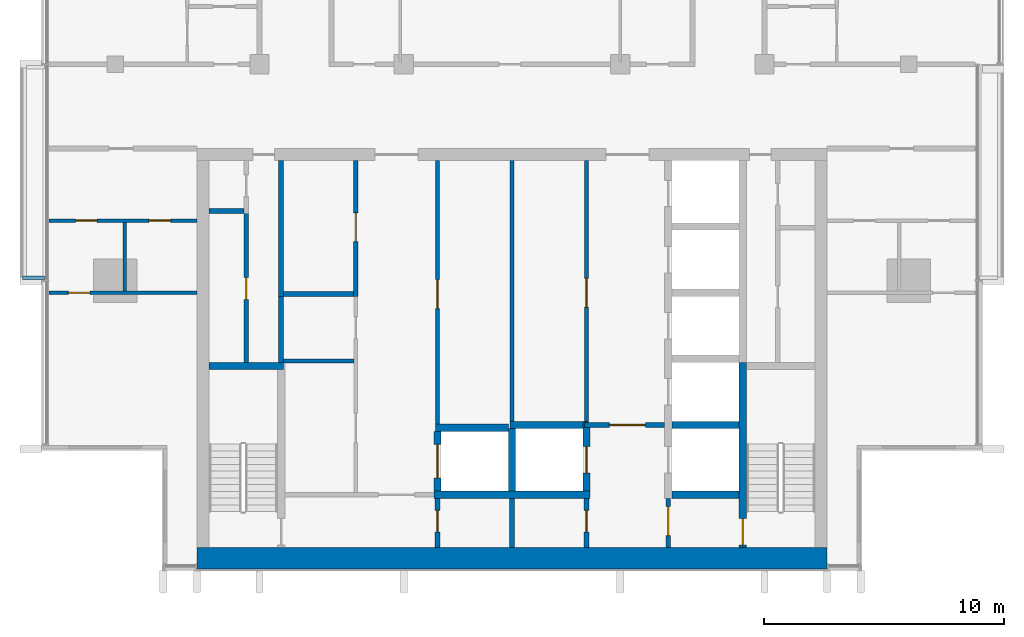
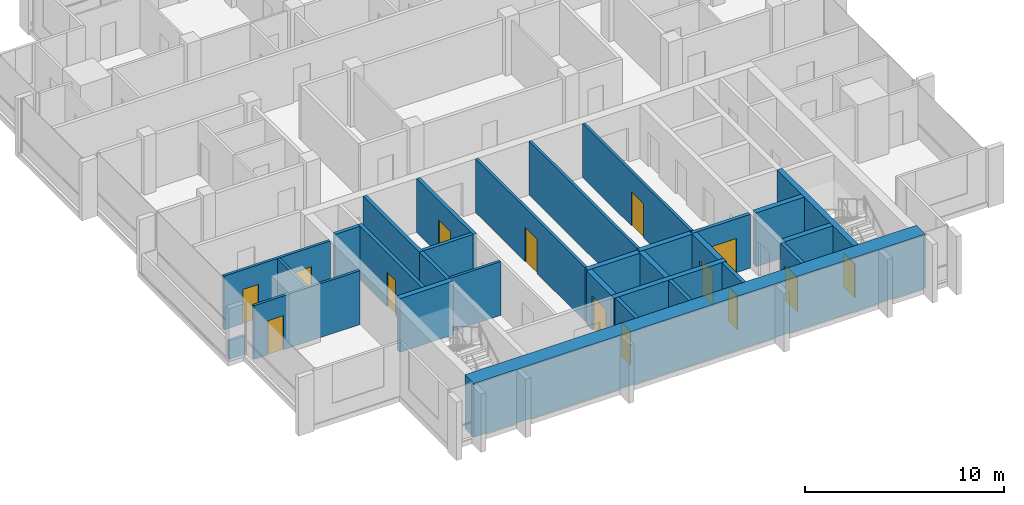
# One storey, part 7 of 16: 30 walls, 14 doors, 14 openings.
"""IFC4 building model written with IfcOpenShell, lengths in metres."""

from ifc_helpers import new_model, si_unit, direction, frame, frame_2d, origin, place, context, subcontext, project, spatial, rectangle, extrude, material, layer, layer_set, type_object, element, fill, save


model = new_model("IFC4")

# Units and contexts
model_context = context("Model", 3, precision=1e-05, world=origin(), true_north=direction((0.0, 1.0)))
body_context = subcontext(model_context, "Body", "Model", "MODEL_VIEW")
ifc_project = project(units=[si_unit("LENGTHUNIT", "METRE"), si_unit("AREAUNIT", "SQUARE_METRE"), si_unit("VOLUMEUNIT", "CUBIC_METRE"), si_unit("PLANEANGLEUNIT", "RADIAN"), si_unit("MASSUNIT", "GRAM", prefix="KILO")], contexts=[model_context])

# Site, building, storey
site_placement = place(None, origin())
site = spatial("IfcSite", under=ifc_project, at=site_placement, CompositionType="ELEMENT")
building_placement = place(site_placement, origin())
building = spatial("IfcBuilding", under=site, at=building_placement, Name="Finial Court Residences", CompositionType="ELEMENT")
storey_placement = place(building_placement, frame((0.0, 0.0, 280.699951171875)))
storey = spatial("IfcBuildingStorey", under=building, at=storey_placement, Name="L71", CompositionType="ELEMENT", Elevation=280.699951171875)

# Wall
ifc_material_1 = material(Name="Fire-rated gypsum board partition")
ifc_layer_1 = layer(ifc_material_1, 0.14990234375)
ifc_layer_set_1 = layer_set([ifc_layer_1], Name="Core room partition 150 EI 60")
wall_type_1 = type_object("IfcWallType", Name="Core room partition 150 EI 60", PredefinedType="PARTITIONING", material=ifc_layer_set_1)
wall_1_placement = place(storey_placement, frame((-9.5, -16.840087890625, 0.0), z_axis=(0.0, 0.0, 1.0), x_axis=(1.0, 0.0, 0.0)))
element("IfcWall", 1, at=wall_1_placement, inside=storey, type_object=wall_type_1, Name="Core partition L71-10", PredefinedType="PARTITIONING", context=body_context, shape_type="SweptSolid", body=[
    extrude(rectangle(XDim=2.925048828125, YDim=0.14990234375, at=frame_2d((1.46240234375, 0.0))), origin(), (0.0, 0.0, 1.0), 3.300048828125),
])

# Wall, opening, door
wall_2_placement = place(storey_placement, frame((-3.10009765625, -8.5, 0.0), z_axis=(0.0, 0.0, 1.0), x_axis=(0.0, -1.0, 0.0)))
wall_2 = element("IfcWall", 2, at=wall_2_placement, inside=storey, type_object=wall_type_1, Name="Core partition L71-26", PredefinedType="PARTITIONING", context=body_context, shape_type="SweptSolid", body=[
    extrude(rectangle(XDim=10.969970703125, YDim=0.14990234375, at=frame_2d((5.48486328125, 0.0))), origin(), (0.0, 0.0, 1.0), 3.300048828125),
])
opening_1_placement = place(wall_2_placement, frame((4.9599609375, 0.0, 0.0)))
opening_1 = element("IfcOpeningElement", 3, at=opening_1_placement, cuts=wall_2, Name="Opening L71-C17", PredefinedType="OPENING", context=body_context, shape_type="SweptSolid", body=[
    extrude(rectangle(XDim=1.199951171875, YDim=2.10009765625, at=frame_2d((0.60009765625, 1.050048828125))), frame((0.0, 0.0849609375, 0.0), z_axis=(0.0, -1.0, 0.0), x_axis=(1.0, 0.0, 0.0)), (0.0, 0.0, 1.0), 0.169921875),
])
ifc_material_2 = material(Name="Steel fire door", Category="steel")
door_type_1 = type_object("IfcDoorType", Name="Core room door 1200 x 2100 EI 60", OperationType="NOTDEFINED", PredefinedType="DOOR", material=ifc_material_2)
door_1_placement = place(opening_1_placement, origin())
door_1 = element("IfcDoor", 4, at=door_1_placement, inside=storey, type_object=door_type_1, Name="Core room door L71-C17", OperationType="SINGLE_SWING_RIGHT", OverallHeight=2.10009765625, OverallWidth=1.199951171875, PredefinedType="DOOR", context=body_context, shape_type="SweptSolid", body=[
    extrude(rectangle(XDim=1.199951171875, YDim=2.10009765625, at=frame_2d((0.60009765625, 1.050048828125))), frame((0.0, 0.02490234375, 0.0), z_axis=(0.0, -1.0, 0.0), x_axis=(1.0, 0.0, 0.0)), (0.0, 0.0, 1.0), 0.050048828125),
])
fill(opening_1, door_1)

# Wall
wall_3_placement = place(storey_placement, frame((0.0, -19.35009765625, 0.0), z_axis=(0.0, 0.0, 1.0), x_axis=(0.0, 1.0, 0.0)))
element("IfcWall", 5, at=wall_3_placement, inside=storey, type_object=wall_type_1, Name="Core partition L71-29", PredefinedType="PARTITIONING", context=body_context, shape_type="SweptSolid", body=[
    extrude(rectangle(XDim=10.85009765625, YDim=0.14990234375, at=frame_2d((5.425048828125, 0.0))), origin(), (0.0, 0.0, 1.0), 3.300048828125),
])

# Wall, opening, door
wall_4_placement = place(storey_placement, frame((3.10009765625, -19.39990234375, 0.0), z_axis=(0.0, 0.0, 1.0), x_axis=(0.0, 1.0, 0.0)))
wall_4 = element("IfcWall", 6, at=wall_4_placement, inside=storey, type_object=wall_type_1, Name="Core partition L71-32", PredefinedType="PARTITIONING", context=body_context, shape_type="SweptSolid", body=[
    extrude(rectangle(XDim=10.89990234375, YDim=0.14990234375, at=frame_2d((5.449951171875, 0.0))), origin(), (0.0, 0.0, 1.0), 3.300048828125),
])
opening_2_placement = place(wall_4_placement, frame((4.800048828125, 0.0, 0.0)))
opening_2 = element("IfcOpeningElement", 7, at=opening_2_placement, cuts=wall_4, Name="Opening L71-C18", PredefinedType="OPENING", context=body_context, shape_type="SweptSolid", body=[
    extrude(rectangle(XDim=1.199951171875, YDim=2.10009765625, at=frame_2d((0.60009765625, 1.050048828125))), frame((0.0, 0.0849609375, 0.0), z_axis=(0.0, -1.0, 0.0), x_axis=(1.0, 0.0, 0.0)), (0.0, 0.0, 1.0), 0.169921875),
])
door_2_placement = place(opening_2_placement, origin())
door_2 = element("IfcDoor", 8, at=door_2_placement, inside=storey, type_object=door_type_1, Name="Core room door L71-C18", OperationType="SINGLE_SWING_LEFT", OverallHeight=2.10009765625, OverallWidth=1.199951171875, PredefinedType="DOOR", context=body_context, shape_type="SweptSolid", body=[
    extrude(rectangle(XDim=1.199951171875, YDim=2.10009765625, at=frame_2d((0.60009765625, 1.050048828125))), frame((0.0, 0.02490234375, 0.0), z_axis=(0.0, -1.0, 0.0), x_axis=(1.0, 0.0, 0.0)), (0.0, 0.0, 1.0), 0.050048828125),
])
fill(opening_2, door_2)

# Wall
ifc_material_3 = material(Name="Concrete C50/60", Category="concrete")
ifc_layer_2 = layer(ifc_material_3, 0.89990234375)
ifc_layer_set_2 = layer_set([ifc_layer_2], Name="Core south facade wall 900 Concrete C50/60")
wall_type_2 = type_object("IfcWallType", Name="Core south facade wall 900 Concrete C50/60", PredefinedType="SHEAR", material=ifc_layer_set_2)
wall_5_placement = place(storey_placement, frame((-13.10009765625, -25.050048828125, 0.0), z_axis=(0.0, 0.0, 1.0), x_axis=(1.0, 0.0, 0.0)))
element("IfcWall", 9, at=wall_5_placement, inside=storey, type_object=wall_type_2, Name="Core outer wall L71-01", PredefinedType="SHEAR", context=body_context, shape_type="SweptSolid", body=[
    extrude(rectangle(XDim=26.2001953125, YDim=0.89990234375, at=frame_2d((13.10009765625, 0.0))), origin(), (0.0, 0.0, 1.0), 3.300048828125),
])

# Wall, opening, door
ifc_layer_3 = layer(ifc_material_1, 0.199951171875)
ifc_layer_set_3 = layer_set([ifc_layer_3], Name="Firefighting lobby wall 200 EI 120")
wall_type_3 = type_object("IfcWallType", Name="Firefighting lobby wall 200 EI 120", PredefinedType="PARTITIONING", material=ifc_layer_set_3)
wall_6_placement = place(storey_placement, frame((6.35009765625, -19.5, 0.0), z_axis=(0.0, 0.0, 1.0), x_axis=(-1.0, 0.0, 0.0)))
wall_6 = element("IfcWall", 10, at=wall_6_placement, inside=storey, type_object=wall_type_3, Name="Core partition L71-06", PredefinedType="PARTITIONING", context=body_context, shape_type="SweptSolid", body=[
    extrude(rectangle(XDim=3.3251953125, YDim=0.199951171875, at=frame_2d((1.66259765625, 0.0))), origin(), (0.0, 0.0, 1.0), 3.300048828125),
])
opening_3_placement = place(wall_6_placement, frame((0.800048828125, 0.0, 0.0)))
opening_3 = element("IfcOpeningElement", 11, at=opening_3_placement, cuts=wall_6, Name="Opening L71-C02", PredefinedType="OPENING", context=body_context, shape_type="SweptSolid", body=[
    extrude(rectangle(XDim=1.5, YDim=2.10009765625, at=frame_2d((0.75, 1.050048828125))), frame((0.0, 0.10986328125, 0.0), z_axis=(0.0, -1.0, 0.0), x_axis=(1.0, 0.0, 0.0)), (0.0, 0.0, 1.0), 0.219970703125),
])
door_type_2 = type_object("IfcDoorType", Name="Firefighting lobby door 1500 x 2100 EI 90", OperationType="DOUBLE_DOOR_SINGLE_SWING", PredefinedType="DOOR", material=ifc_material_2)
door_3_placement = place(opening_3_placement, origin())
door_3 = element("IfcDoor", 12, at=door_3_placement, inside=storey, type_object=door_type_2, Name="Firefighting lobby door L71-C02", OperationType="DOUBLE_DOOR_SINGLE_SWING", OverallHeight=2.10009765625, OverallWidth=1.5, PredefinedType="DOOR", context=body_context, shape_type="SweptSolid", body=[
    extrude(rectangle(XDim=1.5, YDim=2.10009765625, at=frame_2d((0.75, 1.050048828125))), frame((0.0, 0.02490234375, 0.0), z_axis=(0.0, -1.0, 0.0), x_axis=(1.0, 0.0, 0.0)), (0.0, 0.0, 1.0), 0.050048828125),
])
fill(opening_3, door_3)

wall_7_placement = place(storey_placement, frame((3.10009765625, -24.60009765625, 0.0), z_axis=(0.0, 0.0, 1.0), x_axis=(0.0, 1.0, 0.0)))
wall_7 = element("IfcWall", 13, at=wall_7_placement, inside=storey, type_object=wall_type_3, Name="Core partition L71-30", PredefinedType="PARTITIONING", context=body_context, shape_type="SweptSolid", body=[
    extrude(rectangle(XDim=2.050048828125, YDim=0.199951171875, at=frame_2d((1.02490234375, 0.0))), origin(), (0.0, 0.0, 1.0), 3.300048828125),
])
opening_4_placement = place(wall_7_placement, frame((0.64990234375, 0.0, 0.0)))
opening_4 = element("IfcOpeningElement", 14, at=opening_4_placement, cuts=wall_7, Name="Opening L71-C06", PredefinedType="OPENING", context=body_context, shape_type="SweptSolid", body=[
    extrude(rectangle(XDim=0.89990234375, YDim=2.10009765625, at=frame_2d((0.449951171875, 1.050048828125))), frame((0.0, 0.10986328125, 0.0), z_axis=(0.0, -1.0, 0.0), x_axis=(1.0, 0.0, 0.0)), (0.0, 0.0, 1.0), 0.219970703125),
])
door_type_3 = type_object("IfcDoorType", Name="Riser room door 900 x 2100 EI 90", OperationType="NOTDEFINED", PredefinedType="DOOR", material=ifc_material_2)
door_4_placement = place(opening_4_placement, origin())
door_4 = element("IfcDoor", 15, at=door_4_placement, inside=storey, type_object=door_type_3, Name="Riser room door L71-C06", OperationType="SINGLE_SWING_LEFT", OverallHeight=2.10009765625, OverallWidth=0.89990234375, PredefinedType="DOOR", context=body_context, shape_type="SweptSolid", body=[
    extrude(rectangle(XDim=0.89990234375, YDim=2.10009765625, at=frame_2d((0.449951171875, 1.050048828125))), frame((0.0, 0.02490234375, 0.0), z_axis=(0.0, -1.0, 0.0), x_axis=(1.0, 0.0, 0.0)), (0.0, 0.0, 1.0), 0.050048828125),
])
fill(opening_4, door_4)

wall_8_placement = place(storey_placement, frame((6.5, -22.550048828125, 0.0), z_axis=(0.0, 0.0, 1.0), x_axis=(0.0, -1.0, 0.0)))
wall_8 = element("IfcWall", 16, at=wall_8_placement, inside=storey, type_object=wall_type_3, Name="Core partition L71-33", PredefinedType="PARTITIONING", context=body_context, shape_type="SweptSolid", body=[
    extrude(rectangle(XDim=2.050048828125, YDim=0.199951171875, at=frame_2d((1.02490234375, 0.0))), origin(), (0.0, 0.0, 1.0), 3.300048828125),
])
opening_5_placement = place(wall_8_placement, frame((0.35009765625, 0.0, 0.0)))
opening_5 = element("IfcOpeningElement", 17, at=opening_5_placement, cuts=wall_8, Name="Opening L71-C01", PredefinedType="OPENING", context=body_context, shape_type="SweptSolid", body=[
    extrude(rectangle(XDim=1.199951171875, YDim=2.10009765625, at=frame_2d((0.60009765625, 1.050048828125))), frame((0.0, 0.10986328125, 0.0), z_axis=(0.0, -1.0, 0.0), x_axis=(1.0, 0.0, 0.0)), (0.0, 0.0, 1.0), 0.219970703125),
])
door_type_4 = type_object("IfcDoorType", Name="Firefighting lobby door 1200 x 2100 EI 90", OperationType="NOTDEFINED", PredefinedType="DOOR", material=ifc_material_2)
door_5_placement = place(opening_5_placement, origin())
door_5 = element("IfcDoor", 18, at=door_5_placement, inside=storey, type_object=door_type_4, Name="Firefighting lobby door L71-C01", OperationType="SINGLE_SWING_RIGHT", OverallHeight=2.10009765625, OverallWidth=1.199951171875, PredefinedType="DOOR", context=body_context, shape_type="SweptSolid", body=[
    extrude(rectangle(XDim=1.199951171875, YDim=2.10009765625, at=frame_2d((0.60009765625, 1.050048828125))), frame((0.0, 0.02490234375, 0.0), z_axis=(0.0, -1.0, 0.0), x_axis=(1.0, 0.0, 0.0)), (0.0, 0.0, 1.0), 0.050048828125),
])
fill(opening_5, door_5)

ifc_material_4 = material(Name="Moisture-resistant gypsum board")
ifc_layer_4 = layer(ifc_material_4, 0.012451171875)
ifc_material_5 = material(Name="Mineral wool in light-gauge frame")
ifc_layer_5 = layer(ifc_material_5, 0.125)
ifc_layer_6 = layer(ifc_material_4, 0.012451171875)
ifc_layer_set_4 = layer_set([ifc_layer_4, ifc_layer_5, ifc_layer_6], Name="Gypsum board wet-area partition 150")
wall_type_4 = type_object("IfcWallType", Name="Gypsum board wet-area partition 150", PredefinedType="PARTITIONING", material=ifc_layer_set_4)
wall_9_placement = place(storey_placement, frame((-19.262451171875, -14.0, 0.0), z_axis=(0.0, 0.0, 1.0), x_axis=(1.0, 0.0, 0.0)))
wall_9 = element("IfcWall", 19, at=wall_9_placement, inside=storey, type_object=wall_type_4, Name="Partition L71-000", PredefinedType="PARTITIONING", context=body_context, shape_type="SweptSolid", body=[
    extrude(rectangle(XDim=6.162353515625, YDim=0.14990234375, at=frame_2d((3.0810546875, 0.0))), origin(), (0.0, 0.0, 1.0), 3.300048828125),
])
opening_6_placement = place(wall_9_placement, frame((0.81201171875, 0.0, 0.0)))
opening_6 = element("IfcOpeningElement", 20, at=opening_6_placement, cuts=wall_9, Name="Opening L71-D001", PredefinedType="OPENING", context=body_context, shape_type="SweptSolid", body=[
    extrude(rectangle(XDim=0.89990234375, YDim=2.10009765625, at=frame_2d((0.449951171875, 1.050048828125))), frame((0.0, 0.0849609375, 0.0), z_axis=(0.0, -1.0, 0.0), x_axis=(1.0, 0.0, 0.0)), (0.0, 0.0, 1.0), 0.169921875),
])
ifc_material_6 = material(Name="Timber door leaf in timber frame", Category="wood")
door_type_5 = type_object("IfcDoorType", Name="Door set 900 x 2100", OperationType="SINGLE_SWING_LEFT", PredefinedType="DOOR", material=ifc_material_6)
door_6_placement = place(opening_6_placement, origin())
door_6 = element("IfcDoor", 21, at=door_6_placement, inside=storey, type_object=door_type_5, Name="Door L71-D001", OperationType="SINGLE_SWING_LEFT", OverallHeight=2.10009765625, OverallWidth=0.89990234375, PredefinedType="DOOR", context=body_context, shape_type="SweptSolid", body=[
    extrude(rectangle(XDim=0.89990234375, YDim=2.10009765625, at=frame_2d((0.449951171875, 1.050048828125))), frame((0.0, 0.02490234375, 0.0), z_axis=(0.0, -1.0, 0.0), x_axis=(1.0, 0.0, 0.0)), (0.0, 0.0, 1.0), 0.050048828125),
])
fill(opening_6, door_6)

# Wall, openings, doors
wall_10_placement = place(storey_placement, frame((-19.262451171875, -11.0, 0.0), z_axis=(0.0, 0.0, 1.0), x_axis=(1.0, 0.0, 0.0)))
wall_10 = element("IfcWall", 22, at=wall_10_placement, inside=storey, type_object=wall_type_4, Name="Partition L71-002", PredefinedType="PARTITIONING", context=body_context, shape_type="SweptSolid", body=[
    extrude(rectangle(XDim=6.162353515625, YDim=0.14990234375, at=frame_2d((3.0810546875, 0.0))), origin(), (0.0, 0.0, 1.0), 3.300048828125),
])
opening_7_placement = place(wall_10_placement, frame((1.113037109375, 0.0, 0.0)))
opening_7 = element("IfcOpeningElement", 23, at=opening_7_placement, cuts=wall_10, Name="Opening L71-D003", PredefinedType="OPENING", context=body_context, shape_type="SweptSolid", body=[
    extrude(rectangle(XDim=0.89990234375, YDim=2.10009765625, at=frame_2d((0.449951171875, 1.050048828125))), frame((0.0, 0.0849609375, 0.0), z_axis=(0.0, -1.0, 0.0), x_axis=(1.0, 0.0, 0.0)), (0.0, 0.0, 1.0), 0.169921875),
])
opening_8_placement = place(wall_10_placement, frame((4.162109375, 0.0, 0.0)))
opening_8 = element("IfcOpeningElement", 24, at=opening_8_placement, cuts=wall_10, Name="Opening L71-D004", PredefinedType="OPENING", context=body_context, shape_type="SweptSolid", body=[
    extrude(rectangle(XDim=0.89990234375, YDim=2.10009765625, at=frame_2d((0.449951171875, 1.050048828125))), frame((0.0, 0.0849609375, 0.0), z_axis=(0.0, -1.0, 0.0), x_axis=(1.0, 0.0, 0.0)), (0.0, 0.0, 1.0), 0.169921875),
])
door_7_placement = place(opening_7_placement, origin())
door_7 = element("IfcDoor", 25, at=door_7_placement, inside=storey, type_object=door_type_5, Name="Door L71-D003", OperationType="SINGLE_SWING_LEFT", OverallHeight=2.10009765625, OverallWidth=0.89990234375, PredefinedType="DOOR", context=body_context, shape_type="SweptSolid", body=[
    extrude(rectangle(XDim=0.89990234375, YDim=2.10009765625, at=frame_2d((0.449951171875, 1.050048828125))), frame((0.0, 0.02490234375, 0.0), z_axis=(0.0, -1.0, 0.0), x_axis=(1.0, 0.0, 0.0)), (0.0, 0.0, 1.0), 0.050048828125),
])
fill(opening_7, door_7)
door_8_placement = place(opening_8_placement, origin())
door_8 = element("IfcDoor", 26, at=door_8_placement, inside=storey, type_object=door_type_5, Name="Door L71-D004", OperationType="SINGLE_SWING_RIGHT", OverallHeight=2.10009765625, OverallWidth=0.89990234375, PredefinedType="DOOR", context=body_context, shape_type="SweptSolid", body=[
    extrude(rectangle(XDim=0.89990234375, YDim=2.10009765625, at=frame_2d((0.449951171875, 1.050048828125))), frame((0.0, 0.02490234375, 0.0), z_axis=(0.0, -1.0, 0.0), x_axis=(1.0, 0.0, 0.0)), (0.0, 0.0, 1.0), 0.050048828125),
])
fill(opening_8, door_8)

# Walls
wall_11_placement = place(storey_placement, frame((-16.10009765625, -13.925048828125, 0.0), z_axis=(0.0, 0.0, 1.0), x_axis=(0.0, 1.0, 0.0)))
element("IfcWall", 27, at=wall_11_placement, inside=storey, type_object=wall_type_4, Name="Partition L71-031", PredefinedType="PARTITIONING", context=body_context, shape_type="SweptSolid", body=[
    extrude(rectangle(XDim=2.85009765625, YDim=0.14990234375, at=frame_2d((1.425048828125, 0.0))), origin(), (0.0, 0.0, 1.0), 3.300048828125),
])
ifc_material_7 = material(Name="Concrete C35/45", Category="concrete")
ifc_layer_7 = layer(ifc_material_7, 0.14990234375)
ifc_layer_set_5 = layer_set([ifc_layer_7], Name="Ledge parapet, Concrete C35/45 150")
wall_type_5 = type_object("IfcWallType", Name="Ledge parapet, Concrete C35/45 150", PredefinedType="PARAPET", material=ifc_layer_set_5)
wall_12_placement = place(storey_placement, frame((-19.447509765625, -13.375, 0.0), z_axis=(0.0, 0.0, 1.0), x_axis=(-1.0, 0.0, 0.0)))
element("IfcWall", 28, at=wall_12_placement, inside=storey, type_object=wall_type_5, Name="E-L71-LED2-P1", PredefinedType="PARAPET", context=body_context, shape_type="SweptSolid", body=[
    extrude(rectangle(XDim=0.902587890625, YDim=0.14990234375, at=frame_2d((0.451171875, 0.0))), origin(), (0.0, 0.0, 1.0), 1.150146484375),
])
ifc_layer_8 = layer(ifc_material_3, 0.300048828125)
ifc_layer_set_6 = layer_set([ifc_layer_8], Name="Lift shaft and stair wall 300 Concrete C50/60")
wall_type_6 = type_object("IfcWallType", Name="Lift shaft and stair wall 300 Concrete C50/60", PredefinedType="SHEAR", material=ifc_layer_set_6)
wall_13_placement = place(storey_placement, frame((-3.25, -22.39990234375, 0.0), z_axis=(0.0, 0.0, 1.0), x_axis=(1.0, 0.0, 0.0)))
element("IfcWall", 29, at=wall_13_placement, inside=storey, type_object=wall_type_6, Name="Core wall L71-02", PredefinedType="SHEAR", context=body_context, shape_type="SweptSolid", body=[
    extrude(rectangle(XDim=6.5, YDim=0.300048828125, at=frame_2d((3.25, 0.0))), origin(), (0.0, 0.0, 1.0), 3.300048828125),
])
wall_14_placement = place(storey_placement, frame((6.64990234375, -22.39990234375, 0.0), z_axis=(0.0, 0.0, 1.0), x_axis=(1.0, 0.0, 0.0)))
element("IfcWall", 30, at=wall_14_placement, inside=storey, type_object=wall_type_6, Name="Core wall L71-03", PredefinedType="SHEAR", context=body_context, shape_type="SweptSolid", body=[
    extrude(rectangle(XDim=2.800048828125, YDim=0.300048828125, at=frame_2d((1.39990234375, 0.0))), origin(), (0.0, 0.0, 1.0), 3.300048828125),
])
wall_15_placement = place(storey_placement, frame((-3.175048828125, -19.6201171875, 0.0), z_axis=(0.0, 0.0, 1.0), x_axis=(1.0, 0.0, 0.0)))
element("IfcWall", 31, at=wall_15_placement, inside=storey, type_object=wall_type_6, Name="Core wall L71-04", PredefinedType="SHEAR", context=body_context, shape_type="SweptSolid", body=[
    extrude(rectangle(XDim=3.025146484375, YDim=0.300048828125, at=frame_2d((1.5126953125, 0.0))), origin(), (0.0, 0.0, 1.0), 3.300048828125),
])
wall_16_placement = place(storey_placement, frame((-0.074951171875, -19.5, 0.0), z_axis=(0.0, 0.0, 1.0), x_axis=(1.0, 0.0, 0.0)))
element("IfcWall", 32, at=wall_16_placement, inside=storey, type_object=wall_type_6, Name="Core wall L71-05", PredefinedType="SHEAR", context=body_context, shape_type="SweptSolid", body=[
    extrude(rectangle(XDim=3.25, YDim=0.300048828125, at=frame_2d((1.625, 0.0))), origin(), (0.0, 0.0, 1.0), 3.300048828125),
])
wall_17_placement = place(storey_placement, frame((6.64990234375, -19.5, 0.0), z_axis=(0.0, 0.0, 1.0), x_axis=(1.0, 0.0, 0.0)))
element("IfcWall", 33, at=wall_17_placement, inside=storey, type_object=wall_type_6, Name="Core wall L71-07", PredefinedType="SHEAR", context=body_context, shape_type="SweptSolid", body=[
    extrude(rectangle(XDim=2.800048828125, YDim=0.300048828125, at=frame_2d((1.39990234375, 0.0))), origin(), (0.0, 0.0, 1.0), 3.300048828125),
])
wall_18_placement = place(storey_placement, frame((-12.60009765625, -17.050048828125, 0.0), z_axis=(0.0, 0.0, 1.0), x_axis=(1.0, 0.0, 0.0)))
element("IfcWall", 34, at=wall_18_placement, inside=storey, type_object=wall_type_6, Name="Core wall L71-08", PredefinedType="SHEAR", context=body_context, shape_type="SweptSolid", body=[
    extrude(rectangle(XDim=3.10009765625, YDim=0.300048828125, at=frame_2d((1.550048828125, 0.0))), origin(), (0.0, 0.0, 1.0), 3.300048828125),
])

# Wall, opening, door
wall_19_placement = place(storey_placement, frame((-3.10009765625, -22.25, 0.0), z_axis=(0.0, 0.0, 1.0), x_axis=(0.0, 1.0, 0.0)))
wall_19 = element("IfcWall", 35, at=wall_19_placement, inside=storey, type_object=wall_type_6, Name="Core wall L71-25", PredefinedType="SHEAR", context=body_context, shape_type="SweptSolid", body=[
    extrude(rectangle(XDim=2.47998046875, YDim=0.300048828125, at=frame_2d((1.239990234375, 0.0))), origin(), (0.0, 0.0, 1.0), 3.300048828125),
])
opening_9_placement = place(wall_19_placement, frame((0.5400390625, 0.0, 0.0)))
opening_9 = element("IfcOpeningElement", 36, at=opening_9_placement, cuts=wall_19, Name="Opening L71-LD07", PredefinedType="OPENING", context=body_context, shape_type="SweptSolid", body=[
    extrude(rectangle(XDim=1.39990234375, YDim=2.10009765625, at=frame_2d((0.699951171875, 1.050048828125))), frame((0.0, 0.159912109375, 0.0), z_axis=(0.0, -1.0, 0.0), x_axis=(1.0, 0.0, 0.0)), (0.0, 0.0, 1.0), 0.320068359375),
])
ifc_material_8 = material(Name="Stainless steel lift door", Category="steel")
door_type_6 = type_object("IfcDoorType", Name="Lift landing door 1400 x 2100 EI 90", OperationType="DOUBLE_DOOR_SLIDING", PredefinedType="DOOR", material=ifc_material_8)
door_9_placement = place(opening_9_placement, origin())
door_9 = element("IfcDoor", 37, at=door_9_placement, inside=storey, type_object=door_type_6, Name="Lift landing door SV1 L71", OperationType="DOUBLE_DOOR_SLIDING", OverallHeight=2.10009765625, OverallWidth=1.39990234375, PredefinedType="DOOR", context=body_context, shape_type="SweptSolid", body=[
    extrude(rectangle(XDim=1.39990234375, YDim=2.10009765625, at=frame_2d((0.699951171875, 1.050048828125))), frame((0.0, 0.02490234375, 0.0), z_axis=(0.0, -1.0, 0.0), x_axis=(1.0, 0.0, 0.0)), (0.0, 0.0, 1.0), 0.050048828125),
])
fill(opening_9, door_9)

# Wall
wall_20_placement = place(storey_placement, frame((0.0, -22.25, 0.0), z_axis=(0.0, 0.0, 1.0), x_axis=(0.0, 1.0, 0.0)))
element("IfcWall", 38, at=wall_20_placement, inside=storey, type_object=wall_type_6, Name="Core wall L71-28", PredefinedType="SHEAR", context=body_context, shape_type="SweptSolid", body=[
    extrude(rectangle(XDim=2.60009765625, YDim=0.300048828125, at=frame_2d((1.300048828125, 0.0))), origin(), (0.0, 0.0, 1.0), 3.300048828125),
])

# Wall, opening, door
wall_21_placement = place(storey_placement, frame((3.10009765625, -22.25, 0.0), z_axis=(0.0, 0.0, 1.0), x_axis=(0.0, 1.0, 0.0)))
wall_21 = element("IfcWall", 39, at=wall_21_placement, inside=storey, type_object=wall_type_6, Name="Core wall L71-31", PredefinedType="SHEAR", context=body_context, shape_type="SweptSolid", body=[
    extrude(rectangle(XDim=2.85009765625, YDim=0.300048828125, at=frame_2d((1.425048828125, 0.0))), origin(), (0.0, 0.0, 1.0), 3.300048828125),
])
opening_10_placement = place(wall_21_placement, frame((0.75, 0.0, 0.0)))
opening_10 = element("IfcOpeningElement", 40, at=opening_10_placement, cuts=wall_21, Name="Opening L71-LD01", PredefinedType="OPENING", context=body_context, shape_type="SweptSolid", body=[
    extrude(rectangle(XDim=1.10009765625, YDim=2.10009765625, at=frame_2d((0.550048828125, 1.050048828125))), frame((0.0, 0.159912109375, 0.0), z_axis=(0.0, -1.0, 0.0), x_axis=(1.0, 0.0, 0.0)), (0.0, 0.0, 1.0), 0.320068359375),
])
door_type_7 = type_object("IfcDoorType", Name="Lift landing door 1100 x 2100 EI 90", OperationType="DOUBLE_DOOR_SLIDING", PredefinedType="DOOR", material=ifc_material_8)
door_10_placement = place(opening_10_placement, origin())
door_10 = element("IfcDoor", 41, at=door_10_placement, inside=storey, type_object=door_type_7, Name="Lift landing door FF1 L71", OperationType="DOUBLE_DOOR_SLIDING", OverallHeight=2.10009765625, OverallWidth=1.10009765625, PredefinedType="DOOR", context=body_context, shape_type="SweptSolid", body=[
    extrude(rectangle(XDim=1.10009765625, YDim=2.10009765625, at=frame_2d((0.550048828125, 1.050048828125))), frame((0.0, 0.02490234375, 0.0), z_axis=(0.0, -1.0, 0.0), x_axis=(1.0, 0.0, 0.0)), (0.0, 0.0, 1.0), 0.050048828125),
])
fill(opening_10, door_10)

wall_22_placement = place(storey_placement, frame((9.60009765625, -16.89990234375, 0.0), z_axis=(0.0, 0.0, 1.0), x_axis=(0.0, -1.0, 0.0)))
wall_22 = element("IfcWall", 42, at=wall_22_placement, inside=storey, type_object=wall_type_6, Name="Core wall L71-35", PredefinedType="SHEAR", context=body_context, shape_type="SweptSolid", body=[
    extrude(rectangle(XDim=7.7001953125, YDim=0.300048828125, at=frame_2d((3.85009765625, 0.0))), origin(), (0.0, 0.0, 1.0), 3.300048828125),
])
opening_11_placement = place(wall_22_placement, frame((6.5, 0.0, 0.0)))
opening_11 = element("IfcOpeningElement", 43, at=opening_11_placement, cuts=wall_22, Name="Opening L71-C20", PredefinedType="OPENING", context=body_context, shape_type="SweptSolid", body=[
    extrude(rectangle(XDim=1.10009765625, YDim=2.10009765625, at=frame_2d((0.550048828125, 1.050048828125))), frame((0.0, 0.159912109375, 0.0), z_axis=(0.0, -1.0, 0.0), x_axis=(1.0, 0.0, 0.0)), (0.0, 0.0, 1.0), 0.320068359375),
])
door_type_8 = type_object("IfcDoorType", Name="Stair door 1100 x 2100 EI 90", OperationType="NOTDEFINED", PredefinedType="DOOR", material=ifc_material_2)
door_11_placement = place(opening_11_placement, origin())
door_11 = element("IfcDoor", 44, at=door_11_placement, inside=storey, type_object=door_type_8, Name="Stair door L71-C20", OperationType="SINGLE_SWING_RIGHT", OverallHeight=2.10009765625, OverallWidth=1.10009765625, PredefinedType="DOOR", context=body_context, shape_type="SweptSolid", body=[
    extrude(rectangle(XDim=1.10009765625, YDim=2.10009765625, at=frame_2d((0.550048828125, 1.050048828125))), frame((0.0, 0.02490234375, 0.0), z_axis=(0.0, -1.0, 0.0), x_axis=(1.0, 0.0, 0.0)), (0.0, 0.0, 1.0), 0.050048828125),
])
fill(opening_11, door_11)

# Walls
ifc_layer_9 = layer(ifc_material_1, 0.199951171875)
ifc_layer_set_7 = layer_set([ifc_layer_9], Name="Riser room wall 200 EI 120")
wall_type_7 = type_object("IfcWallType", Name="Riser room wall 200 EI 120", PredefinedType="PARTITIONING", material=ifc_layer_set_7)
wall_23_placement = place(storey_placement, frame((-9.5, -14.06005859375, 0.0), z_axis=(0.0, 0.0, 1.0), x_axis=(1.0, 0.0, 0.0)))
element("IfcWall", 45, at=wall_23_placement, inside=storey, type_object=wall_type_7, Name="Core partition L71-12", PredefinedType="PARTITIONING", context=body_context, shape_type="SweptSolid", body=[
    extrude(rectangle(XDim=2.89990234375, YDim=0.199951171875, at=frame_2d((1.449951171875, 0.0))), origin(), (0.0, 0.0, 1.0), 3.300048828125),
])
wall_24_placement = place(storey_placement, frame((-12.60009765625, -10.60009765625, 0.0), z_axis=(0.0, 0.0, 1.0), x_axis=(1.0, 0.0, 0.0)))
element("IfcWall", 46, at=wall_24_placement, inside=storey, type_object=wall_type_7, Name="Core partition L71-16", PredefinedType="PARTITIONING", context=body_context, shape_type="SweptSolid", body=[
    extrude(rectangle(XDim=1.4501953125, YDim=0.199951171875, at=frame_2d((0.72509765625, 0.0))), origin(), (0.0, 0.0, 1.0), 3.300048828125),
])
wall_25_placement = place(storey_placement, frame((-9.60009765625, -14.159912109375, 0.0), z_axis=(0.0, 0.0, 1.0), x_axis=(0.0, 1.0, 0.0)))
element("IfcWall", 47, at=wall_25_placement, inside=storey, type_object=wall_type_7, Name="Core partition L71-21", PredefinedType="PARTITIONING", context=body_context, shape_type="SweptSolid", body=[
    extrude(rectangle(XDim=5.659912109375, YDim=0.199951171875, at=frame_2d((2.830078125, 0.0))), origin(), (0.0, 0.0, 1.0), 3.300048828125),
])

# Wall, opening, door
wall_26_placement = place(storey_placement, frame((-6.5, -14.159912109375, 0.0), z_axis=(0.0, 0.0, 1.0), x_axis=(0.0, 1.0, 0.0)))
wall_26 = element("IfcWall", 48, at=wall_26_placement, inside=storey, type_object=wall_type_7, Name="Core partition L71-23", PredefinedType="PARTITIONING", context=body_context, shape_type="SweptSolid", body=[
    extrude(rectangle(XDim=5.659912109375, YDim=0.199951171875, at=frame_2d((2.830078125, 0.0))), origin(), (0.0, 0.0, 1.0), 3.300048828125),
])
opening_12_placement = place(wall_26_placement, frame((2.280029296875, 0.0, 0.0)))
opening_12 = element("IfcOpeningElement", 49, at=opening_12_placement, cuts=wall_26, Name="Opening L71-C09", PredefinedType="OPENING", context=body_context, shape_type="SweptSolid", body=[
    extrude(rectangle(XDim=1.199951171875, YDim=2.10009765625, at=frame_2d((0.60009765625, 1.050048828125))), frame((0.0, 0.10986328125, 0.0), z_axis=(0.0, -1.0, 0.0), x_axis=(1.0, 0.0, 0.0)), (0.0, 0.0, 1.0), 0.219970703125),
])
door_type_9 = type_object("IfcDoorType", Name="Riser room door 1200 x 2100 EI 90", OperationType="NOTDEFINED", PredefinedType="DOOR", material=ifc_material_2)
door_12_placement = place(opening_12_placement, origin())
door_12 = element("IfcDoor", 50, at=door_12_placement, inside=storey, type_object=door_type_9, Name="Riser room door L71-C09", OperationType="SINGLE_SWING_RIGHT", OverallHeight=2.10009765625, OverallWidth=1.199951171875, PredefinedType="DOOR", context=body_context, shape_type="SweptSolid", body=[
    extrude(rectangle(XDim=1.199951171875, YDim=2.10009765625, at=frame_2d((0.60009765625, 1.050048828125))), frame((0.0, 0.02490234375, 0.0), z_axis=(0.0, -1.0, 0.0), x_axis=(1.0, 0.0, 0.0)), (0.0, 0.0, 1.0), 0.050048828125),
])
fill(opening_12, door_12)

# Wall
wall_27_placement = place(storey_placement, frame((0.0, -24.60009765625, 0.0), z_axis=(0.0, 0.0, 1.0), x_axis=(0.0, 1.0, 0.0)))
element("IfcWall", 51, at=wall_27_placement, inside=storey, type_object=wall_type_7, Name="Core partition L71-27", PredefinedType="PARTITIONING", context=body_context, shape_type="SweptSolid", body=[
    extrude(rectangle(XDim=2.050048828125, YDim=0.199951171875, at=frame_2d((1.02490234375, 0.0))), origin(), (0.0, 0.0, 1.0), 3.300048828125),
])

# Wall, opening, door
ifc_layer_10 = layer(ifc_material_1, 0.199951171875)
ifc_layer_set_8 = layer_set([ifc_layer_10], Name="Stair passage wall 200 EI 180")
wall_type_8 = type_object("IfcWallType", Name="Stair passage wall 200 EI 180", PredefinedType="PARTITIONING", material=ifc_layer_set_8)
wall_28_placement = place(storey_placement, frame((-11.050048828125, -16.89990234375, 0.0), z_axis=(0.0, 0.0, 1.0), x_axis=(0.0, 1.0, 0.0)))
wall_28 = element("IfcWall", 52, at=wall_28_placement, inside=storey, type_object=wall_type_8, Name="Core partition L71-17", PredefinedType="PARTITIONING", context=body_context, shape_type="SweptSolid", body=[
    extrude(rectangle(XDim=6.39990234375, YDim=0.199951171875, at=frame_2d((3.199951171875, 0.0))), origin(), (0.0, 0.0, 1.0), 3.300048828125),
])
opening_13_placement = place(wall_28_placement, frame((2.625, 0.0, 0.0)))
opening_13 = element("IfcOpeningElement", 53, at=opening_13_placement, cuts=wall_28, Name="Opening L71-C13", PredefinedType="OPENING", context=body_context, shape_type="SweptSolid", body=[
    extrude(rectangle(XDim=0.89990234375, YDim=2.10009765625, at=frame_2d((0.449951171875, 1.050048828125))), frame((0.0, 0.10986328125, 0.0), z_axis=(0.0, -1.0, 0.0), x_axis=(1.0, 0.0, 0.0)), (0.0, 0.0, 1.0), 0.219970703125),
])
door_type_10 = type_object("IfcDoorType", Name="Core room door 900 x 2100 EI 60", OperationType="NOTDEFINED", PredefinedType="DOOR", material=ifc_material_2)
door_13_placement = place(opening_13_placement, origin())
door_13 = element("IfcDoor", 54, at=door_13_placement, inside=storey, type_object=door_type_10, Name="Core room door L71-C13", OperationType="SINGLE_SWING_RIGHT", OverallHeight=2.10009765625, OverallWidth=0.89990234375, PredefinedType="DOOR", context=body_context, shape_type="SweptSolid", body=[
    extrude(rectangle(XDim=0.89990234375, YDim=2.10009765625, at=frame_2d((0.449951171875, 1.050048828125))), frame((0.0, 0.02490234375, 0.0), z_axis=(0.0, -1.0, 0.0), x_axis=(1.0, 0.0, 0.0)), (0.0, 0.0, 1.0), 0.050048828125),
])
fill(opening_13, door_13)

# Wall
wall_29_placement = place(storey_placement, frame((-9.60009765625, -16.89990234375, 0.0), z_axis=(0.0, 0.0, 1.0), x_axis=(0.0, 1.0, 0.0)))
element("IfcWall", 55, at=wall_29_placement, inside=storey, type_object=wall_type_8, Name="Core partition L71-20", PredefinedType="PARTITIONING", context=body_context, shape_type="SweptSolid", body=[
    extrude(rectangle(XDim=2.739990234375, YDim=0.199951171875, at=frame_2d((1.3701171875, 0.0))), origin(), (0.0, 0.0, 1.0), 3.300048828125),
])

# Wall, opening, door
wall_30_placement = place(storey_placement, frame((-3.10009765625, -22.550048828125, 0.0), z_axis=(0.0, 0.0, 1.0), x_axis=(0.0, -1.0, 0.0)))
wall_30 = element("IfcWall", 56, at=wall_30_placement, inside=storey, type_object=wall_type_8, Name="Core partition L71-24", PredefinedType="PARTITIONING", context=body_context, shape_type="SweptSolid", body=[
    extrude(rectangle(XDim=2.050048828125, YDim=0.199951171875, at=frame_2d((1.02490234375, 0.0))), origin(), (0.0, 0.0, 1.0), 3.300048828125),
])
opening_14_placement = place(wall_30_placement, frame((0.5, 0.0, 0.0)))
opening_14 = element("IfcOpeningElement", 57, at=opening_14_placement, cuts=wall_30, Name="Opening L71-C12", PredefinedType="OPENING", context=body_context, shape_type="SweptSolid", body=[
    extrude(rectangle(XDim=0.89990234375, YDim=2.10009765625, at=frame_2d((0.449951171875, 1.050048828125))), frame((0.0, 0.10986328125, 0.0), z_axis=(0.0, -1.0, 0.0), x_axis=(1.0, 0.0, 0.0)), (0.0, 0.0, 1.0), 0.219970703125),
])
door_14_placement = place(opening_14_placement, origin())
door_14 = element("IfcDoor", 58, at=door_14_placement, inside=storey, type_object=door_type_10, Name="Core room door L71-C12", OperationType="SINGLE_SWING_RIGHT", OverallHeight=2.10009765625, OverallWidth=0.89990234375, PredefinedType="DOOR", context=body_context, shape_type="SweptSolid", body=[
    extrude(rectangle(XDim=0.89990234375, YDim=2.10009765625, at=frame_2d((0.449951171875, 1.050048828125))), frame((0.0, 0.02490234375, 0.0), z_axis=(0.0, -1.0, 0.0), x_axis=(1.0, 0.0, 0.0)), (0.0, 0.0, 1.0), 0.050048828125),
])
fill(opening_14, door_14)

save(model, "model.ifc")
